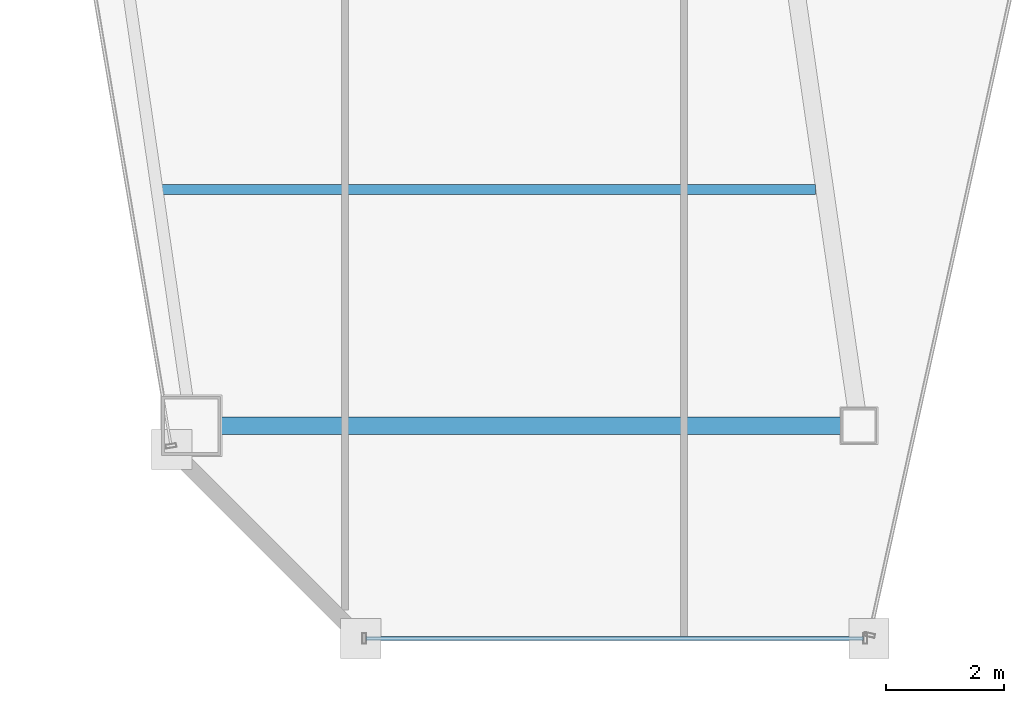
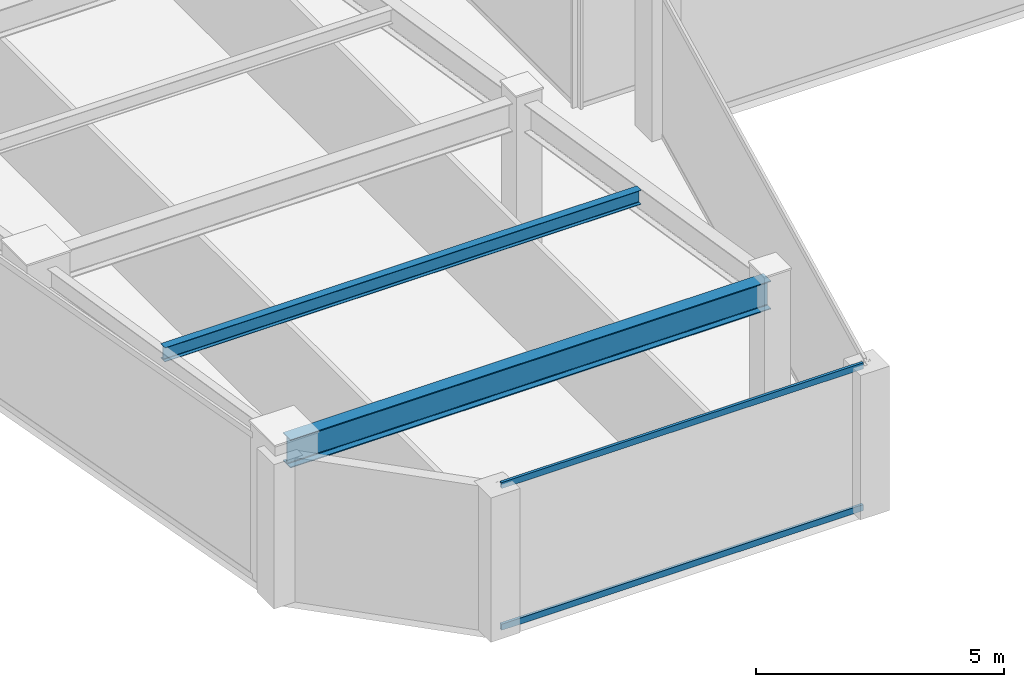
# One storey, part 3 of 35: 2 beams, 2 members, 1 element without a shape of its own.
"""IFC4 building model written with IfcOpenShell, lengths in metres."""

import ifcopenshell
import ifcopenshell.guid

model = None  # the IFC model being written
_history = None  # IfcOwnerHistory: only IFC2X3 demands one
_inside = {}  # id of a spatial element -> (the spatial element, [elements in it])
_under = {}  # id of a project, library or spatial element -> (it, [spatial elements below it])
_declared = {}  # id of a project -> (the project, [libraries it declares])
_typed = {}  # id of a type object -> (the type object, [elements of that type])
_made_of = {}  # id of a material, layer set ... -> (it, [elements and type objects made of it])


def new_model(schema):
    """Start an empty IFC model of exactly this schema.

    Asked for "IFC4X3", IfcOpenShell would pick the latest addendum, in which some entities
    have other attributes; the version numbers below select the first issue.
    IFC2X3 requires an IfcOwnerHistory on every rooted entity: one is made here for all.
    """
    global model, _history
    if schema == "IFC4X3":
        model = ifcopenshell.file(schema_version=(4, 3, 0, 0))
    else:
        model = ifcopenshell.file(schema=schema)
    _inside.clear()
    _under.clear()
    _declared.clear()
    _typed.clear()
    _made_of.clear()
    _history = None
    if model.schema == "IFC2X3":
        org = make("IfcOrganization", Name="unknown")
        user = make(
            "IfcPersonAndOrganization",
            ThePerson=make("IfcPerson", FamilyName="unknown"),
            TheOrganization=org,
        )
        app = make(
            "IfcApplication",
            ApplicationDeveloper=org,
            Version="unknown",
            ApplicationFullName="unknown",
            ApplicationIdentifier="unknown",
        )
        _history = make(
            "IfcOwnerHistory",
            OwningUser=user,
            OwningApplication=app,
            ChangeAction="ADDED",
            CreationDate=0,
        )
    return model


def make(cls, **values):
    """One entity of the class cls with the attributes given. An attribute that is None is left unset."""
    return model.create_entity(
        cls, **{name: value for name, value in values.items() if value is not None}
    )


def rooted(cls, **values):
    """An entity with a GlobalId (a new one), such as an element, a storey or a relation."""
    return make(cls, GlobalId=ifcopenshell.guid.new(), OwnerHistory=_history, **values)


def si_unit(unit_type, name, prefix=None):
    """IfcSIUnit, for example si_unit("LENGTHUNIT", "METRE", prefix="MILLI")."""
    return make("IfcSIUnit", UnitType=unit_type, Prefix=prefix, Name=name)


def assignment(units):
    """IfcUnitAssignment: the units of a project."""
    return None if units is None else make("IfcUnitAssignment", Units=units)


def point(xyz):
    """IfcCartesianPoint."""
    return None if xyz is None else make("IfcCartesianPoint", Coordinates=xyz)


def direction(xyz):
    """IfcDirection."""
    return None if xyz is None else make("IfcDirection", DirectionRatios=xyz)


def frame(location, z_axis=None, x_axis=None):
    """IfcAxis2Placement3D, a coordinate frame: its origin and axes. An axis left out is left unset."""
    return make(
        "IfcAxis2Placement3D",
        Location=point(location),
        Axis=direction(z_axis),
        RefDirection=direction(x_axis),
    )


def frame_2d(location, x_axis=None):
    """IfcAxis2Placement2D, a coordinate frame in the plane: its origin and x axis."""
    return make(
        "IfcAxis2Placement2D", Location=point(location), RefDirection=direction(x_axis)
    )


def origin():
    """The frame at (0, 0, 0) with its axes left unset."""
    return frame((0.0, 0.0, 0.0))


def origin_2d():
    """The frame at (0, 0) in the plane with its x axis left unset."""
    return frame_2d((0.0, 0.0))


def place(relative_to, where):
    """IfcLocalPlacement: puts the frame where relative to a parent placement (None: the world)."""
    return make(
        "IfcLocalPlacement", PlacementRelTo=relative_to, RelativePlacement=where
    )


def context(
    kind, dimensions, precision=None, world=None, true_north=None, identifier=None
):
    """IfcGeometricRepresentationContext, for example the 3D "Model" context."""
    return make(
        "IfcGeometricRepresentationContext",
        ContextIdentifier=identifier,
        ContextType=kind,
        CoordinateSpaceDimension=dimensions,
        Precision=precision,
        WorldCoordinateSystem=world,
        TrueNorth=true_north,
    )


def subcontext(parent, identifier, kind, view, scale=None):
    """IfcGeometricRepresentationSubContext, for example "Body" below "Model"."""
    return make(
        "IfcGeometricRepresentationSubContext",
        ContextIdentifier=identifier,
        ContextType=kind,
        ParentContext=parent,
        TargetScale=scale,
        TargetView=view,
    )


def project(units=None, contexts=None):
    """IfcProject with its units and contexts."""
    return rooted(
        "IfcProject",
        Name="project",
        RepresentationContexts=contexts,
        UnitsInContext=assignment(units),
    )


def spatial(cls, under=None, at=None, **own):
    """A site, building, storey or space (cls), placed at a placement, below another one or the project."""
    s = rooted(cls, ObjectPlacement=at, **own)
    if under is not None:
        _under.setdefault(under.id(), (under, []))[1].append(s)
    return s


def profile(cls, at=None, kind="AREA", **sizes):
    """A parametric profile (cls). Its sizes go by their IFC names, for example OverallWidth=200.0."""
    return make(cls, ProfileType=kind, Position=at, **sizes)


def hollow_rectangle(**sizes):
    """IfcRectangleHollowProfileDef."""
    return profile("IfcRectangleHollowProfileDef", **sizes)


def i_section(**sizes):
    """IfcIShapeProfileDef."""
    return profile("IfcIShapeProfileDef", **sizes)


def extrude(swept, where, along, depth):
    """IfcExtrudedAreaSolid: the profile swept, set in the frame where, extruded along a direction by depth."""
    return make(
        "IfcExtrudedAreaSolid",
        SweptArea=swept,
        Position=where,
        ExtrudedDirection=direction(along),
        Depth=depth,
    )


def shape(context_of_items, identifier, shape_type, items):
    """IfcShapeRepresentation: the items that make up one representation, for example the "Body"."""
    return make(
        "IfcShapeRepresentation",
        ContextOfItems=context_of_items,
        RepresentationIdentifier=identifier,
        RepresentationType=shape_type,
        Items=items,
    )


def material(Name=None, Category=None):
    """IfcMaterial."""
    return make("IfcMaterial", Name=Name, Category=Category)


def material_profile(
    of_material, cross_section, Name=None, Category=None, Priority=None
):
    """IfcMaterialProfile: a cross section and its material."""
    return make(
        "IfcMaterialProfile",
        Name=Name,
        Material=of_material,
        Profile=cross_section,
        Priority=Priority,
        Category=Category,
    )


def profile_set(profiles, Name=None, composite=None):
    """IfcMaterialProfileSet."""
    return make(
        "IfcMaterialProfileSet",
        Name=Name,
        MaterialProfiles=profiles,
        CompositeProfile=composite,
    )


def made_of(thing, what):
    """Note that an element or type object is made of a material, layer set ...; save() writes the relation."""
    if what is not None:
        _made_of.setdefault(what.id(), (what, []))[1].append(thing)
    return thing


def type_object(cls, material=None, **own):
    """A type object (cls), such as IfcWallType, which elements share."""
    return made_of(rooted(cls, **own), material)


def element(
    cls,
    number,
    at=None,
    inside=None,
    cuts=None,
    type_object=None,
    material=None,
    context=None,
    identifier="Body",
    shape_type=None,
    held_by="IfcProductDefinitionShape",
    body=None,
    shapes=None,
    **own,
):
    """One element of the class cls, such as IfcWall. Its Tag is "e" and its number.

    at: its placement. inside: the storey or other place that contains it. cuts: it is an
    opening in that element (IfcRelVoidsElement). A single representation is given by context,
    identifier, shape_type and body (its items); several are given by shapes. held_by: the class
    of the entity that holds the representations. save() writes the other relations.
    """
    e = rooted(cls, Tag="e%d" % number, ObjectPlacement=at, **own)
    if body is not None:
        shapes = [shape(context, identifier, shape_type, body)]
    if shapes is not None:
        e.Representation = make(held_by, Representations=shapes)
    if inside is not None:
        _inside.setdefault(inside.id(), (inside, []))[1].append(e)
    if cuts is not None:
        rooted(
            "IfcRelVoidsElement", RelatingBuildingElement=cuts, RelatedOpeningElement=e
        )
    if type_object is not None:
        _typed.setdefault(type_object.id(), (type_object, []))[1].append(e)
    return made_of(e, material)


def aggregate(whole, parts):
    """IfcRelAggregates: a whole, such as a stair, and the parts it consists of."""
    return rooted("IfcRelAggregates", RelatingObject=whole, RelatedObjects=parts)


def save(model, path):
    """Write the relations noted so far, then the file.

    IfcRelAggregates (storeys below a building ...), IfcRelContainedInSpatialStructure (elements
    in a storey), IfcRelDefinesByType, IfcRelAssociatesMaterial and IfcRelDeclares: one each for
    every whole, place, type object, material and project.
    """
    for whole, parts in _under.values():
        aggregate(whole, parts)
    for where, things in _inside.values():
        rooted(
            "IfcRelContainedInSpatialStructure",
            RelatedElements=things,
            RelatingStructure=where,
        )
    for kind, things in _typed.values():
        rooted("IfcRelDefinesByType", RelatedObjects=things, RelatingType=kind)
    for what, things in _made_of.values():
        rooted("IfcRelAssociatesMaterial", RelatedObjects=things, RelatingMaterial=what)
    for by, libraries in _declared.values():
        rooted("IfcRelDeclares", RelatingContext=by, RelatedDefinitions=libraries)
    model.write(path)


model = new_model("IFC4")

# Units and contexts
model_context = context("Model", 3, precision=1e-05, world=origin(), true_north=direction((0.0, 1.0)))
body_context = subcontext(model_context, "Body", "Model", "MODEL_VIEW")
ifc_project = project(units=[si_unit("LENGTHUNIT", "METRE"), si_unit("AREAUNIT", "SQUARE_METRE"), si_unit("VOLUMEUNIT", "CUBIC_METRE"), si_unit("PLANEANGLEUNIT", "RADIAN"), si_unit("MASSUNIT", "GRAM", prefix="KILO")], contexts=[model_context])

# Site, building, storey
site_placement = place(None, origin())
site = spatial("IfcSite", under=ifc_project, at=site_placement, CompositionType="ELEMENT")
building_placement = place(site_placement, origin())
building = spatial("IfcBuilding", under=site, at=building_placement, Name="Saevonmaru Cultural Tower", CompositionType="ELEMENT")
storey_placement = place(building_placement, frame((0.0, 0.0, 179.0)))
storey = spatial("IfcBuildingStorey", under=building, at=storey_placement, Name="L40", CompositionType="ELEMENT", Elevation=179.0)

# Beams
ifc_material_1 = material(Name="Steel SM355", Category="steel")
ifc_material_profile_1 = material_profile(ifc_material_1, i_section(OverallWidth=0.300048828125, OverallDepth=0.699951171875, WebThickness=0.012939453125, FlangeThickness=0.02392578125, FilletRadius=0.02587890625, at=origin_2d()), Name="H-700x300x13x24")
ifc_profile_set_1 = profile_set([ifc_material_profile_1], Name="Steel SM355")
beam_type_1 = type_object("IfcBeamType", Name="BM-G-H700", PredefinedType="BEAM", material=ifc_profile_set_1)
beam_1_placement = place(storey_placement, frame((10.68798828125, 16.0, 3.199951171875), z_axis=(1.0, 0.0, 0.0), x_axis=(0.0, 1.0, 0.0)))
element("IfcBeam", 1, at=beam_1_placement, inside=storey, type_object=beam_type_1, Name="L40 West Wing Transverse Girder 1", PredefinedType="BEAM", context=body_context, shape_type="SweptSolid", body=[
    extrude(i_section(OverallWidth=0.300048828125, OverallDepth=0.699951171875, WebThickness=0.012939453125, FlangeThickness=0.02392578125, FilletRadius=0.02587890625, at=origin_2d()), origin(), (0.0, 0.0, 1.0), 11.179931640625),
])
ifc_material_profile_2 = material_profile(ifc_material_1, i_section(OverallWidth=0.175048828125, OverallDepth=0.35009765625, WebThickness=0.007080078125, FlangeThickness=0.010986328125, FilletRadius=0.012939453125, at=origin_2d()), Name="H-350x175x7x11")
ifc_profile_set_2 = profile_set([ifc_material_profile_2], Name="Steel SM355")
beam_type_2 = type_object("IfcBeamType", Name="BM-J-H350", PredefinedType="JOIST", material=ifc_profile_set_2)
beam_2_placement = place(storey_placement, frame((10.110107421875, 20.0, 3.375), z_axis=(1.0, 0.0, 0.0), x_axis=(0.0, 1.0, 0.0)))
element("IfcBeam", 2, at=beam_2_placement, inside=storey, type_object=beam_type_2, Name="L40 West Wing Floor Joist 1", PredefinedType="JOIST", context=body_context, shape_type="SweptSolid", body=[
    extrude(i_section(OverallWidth=0.175048828125, OverallDepth=0.35009765625, WebThickness=0.007080078125, FlangeThickness=0.010986328125, FilletRadius=0.012939453125, at=origin_2d()), origin(), (0.0, 0.0, 1.0), 11.081787109375),
])

# Curtain wall, members
ifc_material_2 = material(Name="Satin Bronze Anodised Aluminium", Category="aluminium")
curtain_wall_type = type_object("IfcCurtainWallType", Name="CW-TYP-B", PredefinedType="NOTDEFINED", material=ifc_material_2)
curtain_wall_placement = place(storey_placement, origin())
curtain_wall = element("IfcCurtainWall", 3, at=curtain_wall_placement, inside=storey, type_object=curtain_wall_type, Name="L40 Unitised Curtain Wall E2", PredefinedType="NOTDEFINED")
ifc_material_profile_3 = material_profile(ifc_material_2, hollow_rectangle(XDim=0.06494140625, YDim=0.14990234375, WallThickness=0.00390625, at=origin_2d()), Name="ALU-TRAN-150x65x4")
ifc_profile_set_3 = profile_set([ifc_material_profile_3], Name="Satin Bronze Anodised Aluminium")
member_type = type_object("IfcMemberType", Name="TR-CW-150x65", PredefinedType="USERDEFINED", material=ifc_profile_set_3)
member_1_placement = place(storey_placement, frame((13.59033203125, 12.39990234375, 0.032470703125), z_axis=(1.0, 0.0, 0.0), x_axis=(0.0, 1.0, 0.0)))
member_1 = element("IfcMember", 4, at=member_1_placement, type_object=member_type, Name="CW-TW-L40-E2 transom 1.1", ObjectType="TRANSOM", PredefinedType="USERDEFINED", context=body_context, shape_type="SweptSolid", body=[
    extrude(hollow_rectangle(XDim=0.06494140625, YDim=0.14990234375, WallThickness=0.00390625, at=origin_2d()), origin(), (0.0, 0.0, 1.0), 8.4150390625),
])
member_2_placement = place(storey_placement, frame((13.59033203125, 12.39990234375, 3.517578125), z_axis=(1.0, 0.0, 0.0), x_axis=(0.0, 1.0, 0.0)))
member_2 = element("IfcMember", 5, at=member_2_placement, type_object=member_type, Name="CW-TW-L40-E2 transom 1.2", ObjectType="TRANSOM", PredefinedType="USERDEFINED", context=body_context, shape_type="SweptSolid", body=[
    extrude(hollow_rectangle(XDim=0.06494140625, YDim=0.14990234375, WallThickness=0.00390625, at=origin_2d()), origin(), (0.0, 0.0, 1.0), 8.4150390625),
])
aggregate(curtain_wall, [member_1, member_2])

save(model, "model.ifc")
